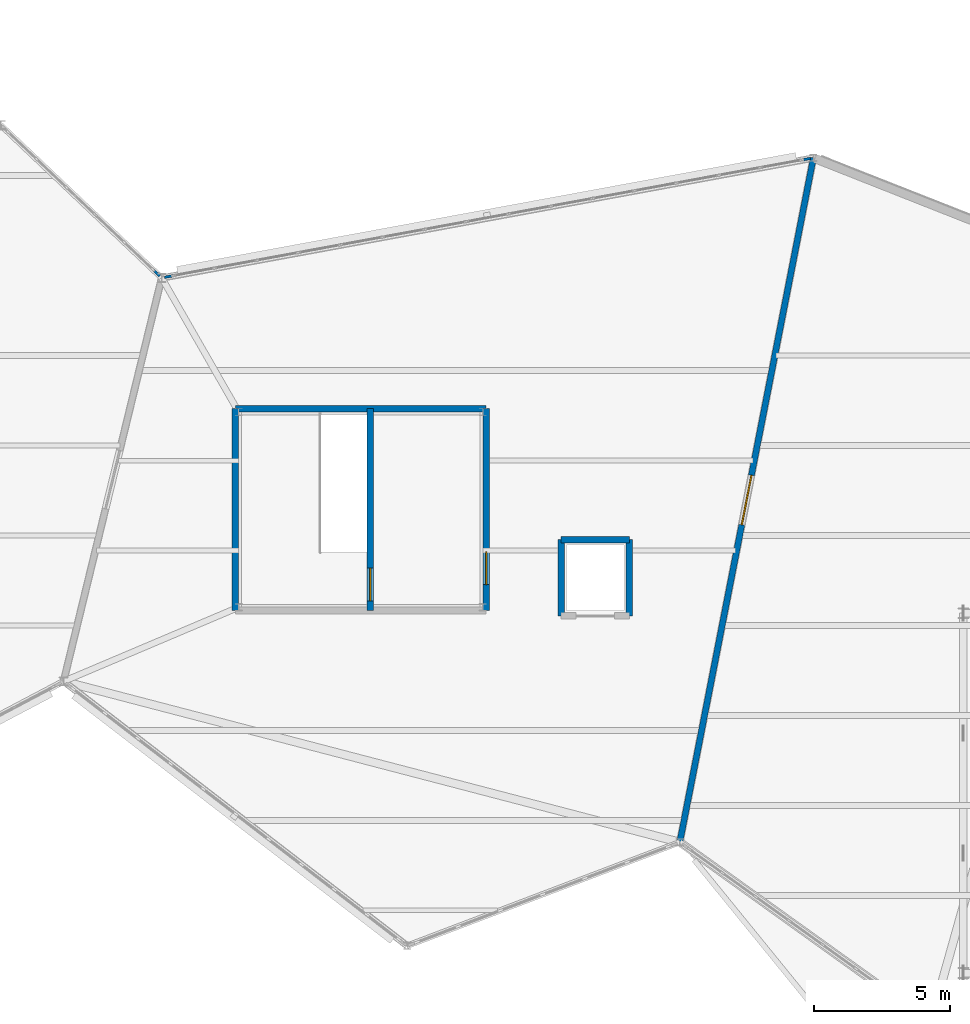
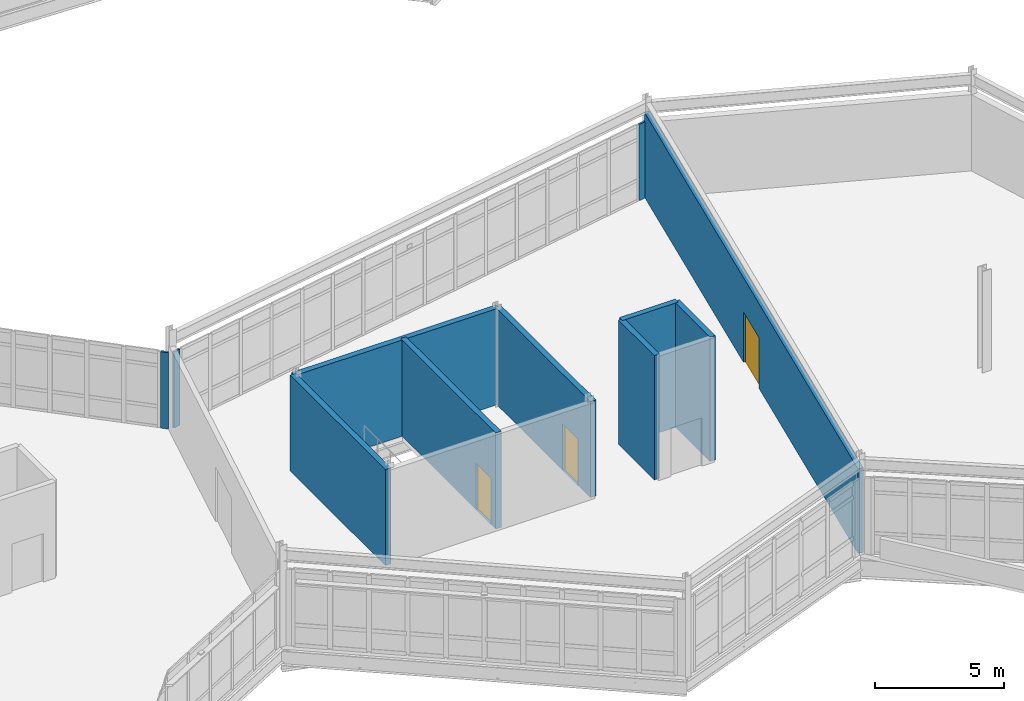
# One storey, part 61 of 76: 11 walls, 3 doors, 3 openings.
"""IFC4 building model written with IfcOpenShell, lengths in metres."""

from ifc_helpers import new_model, si_unit, direction, frame, frame_2d, origin, place, context, subcontext, project, spatial, rectangle, extrude, material, layer, layer_set, type_object, element, fill, save


model = new_model("IFC4")

# Units and contexts
model_context = context("Model", 3, precision=1e-05, world=origin(), true_north=direction((0.0, 1.0)))
body_context = subcontext(model_context, "Body", "Model", "MODEL_VIEW")
ifc_project = project(units=[si_unit("LENGTHUNIT", "METRE"), si_unit("AREAUNIT", "SQUARE_METRE"), si_unit("VOLUMEUNIT", "CUBIC_METRE"), si_unit("PLANEANGLEUNIT", "RADIAN"), si_unit("MASSUNIT", "GRAM", prefix="KILO")], contexts=[model_context])

# Site, building, storey
site_placement = place(None, origin())
site = spatial("IfcSite", under=ifc_project, at=site_placement, CompositionType="ELEMENT")
building_placement = place(site_placement, origin())
building = spatial("IfcBuilding", under=site, at=building_placement, Name="Tameran Prism Museum", CompositionType="ELEMENT")
storey_placement = place(building_placement, frame((0.0, 0.0, 15.0)))
storey = spatial("IfcBuildingStorey", under=building, at=storey_placement, Name="L03", CompositionType="ELEMENT", Elevation=15.0)

# Walls
ifc_material_1 = material(Name="Precast Concrete N40 (40 MPa)", Category="concrete")
ifc_layer_1 = layer(ifc_material_1, 0.094970703125)
ifc_layer_set_1 = layer_set([ifc_layer_1])
wall_type_1 = type_object("IfcWallType", Name="EW-CLOS-095", PredefinedType="SOLIDWALL", material=ifc_layer_set_1)
wall_1_placement = place(storey_placement, frame((101.403076171875, 43.281982421875, 0.0), z_axis=(0.0, 0.0, 1.0), x_axis=(0.726243974232, -0.687437044311, 0.0)))
element("IfcWall", 1, at=wall_1_placement, inside=storey, type_object=wall_type_1, Name="Facade Corner Closure EW-0388", PredefinedType="SOLIDWALL", context=body_context, shape_type="SweptSolid", body=[
    extrude(rectangle(XDim=0.308349609375, YDim=0.094970703125, at=frame_2d((0.154296875, 0.0))), origin(), (0.0, 0.0, 1.0), 3.6201171875),
])
for number, where, z_axis, x_axis, name in (
    (2, (101.800048828125, 43.01904296875, 0.0), (0.0, 0.0, 1.0), (0.983958590936, 0.178397004803, 0.0), "Facade Corner Closure EW-0401"),
    (3, (125.193115234375, 47.324951171875, 0.0), (0.0, 0.0, 1.0), (0.983958590936, 0.178397004803, 0.0), "Facade Corner Closure EW-0402"),
):
    element("IfcWall", number, at=place(storey_placement, frame(where, z_axis=z_axis, x_axis=x_axis)), inside=storey, type_object=wall_type_1, Name=name, PredefinedType="SOLIDWALL", context=body_context, shape_type="SweptSolid", body=[
        extrude(rectangle(XDim=0.307861328125, YDim=0.094970703125, at=frame_2d((0.15380859375, 0.0))), origin(), (0.0, 0.0, 1.0), 3.6201171875),
    ])

# Wall, opening, door
ifc_material_2 = material(Name="Concrete N40 (40 MPa)", Category="concrete")
ifc_layer_2 = layer(ifc_material_2, 0.22509765625)
ifc_layer_set_2 = layer_set([ifc_layer_2])
wall_type_2 = type_object("IfcWallType", Name="IW-CMP-225", PredefinedType="SOLIDWALL", material=ifc_layer_set_2)
wall_2_placement = place(storey_placement, frame((120.699951171875, 22.300048828125, 0.0), z_axis=(0.0, 0.0, 1.0), x_axis=(0.191608827438, 0.981471373626, 0.0)))
wall_2 = element("IfcWall", 4, at=wall_2_placement, inside=storey, type_object=wall_type_2, Name="Compartment Wall IW-0144", PredefinedType="SOLIDWALL", context=body_context, shape_type="SweptSolid", body=[
    extrude(rectangle(XDim=25.57373046875, YDim=0.22509765625, at=frame_2d((12.786865234375, 0.0))), origin(), (0.0, 0.0, 1.0), 4.02001953125),
])
opening_1_placement = place(wall_2_placement, frame((11.862060546875, 0.0, 0.0)))
opening_1 = element("IfcOpeningElement", 5, at=opening_1_placement, cuts=wall_2, Name="Opening ID-0143", PredefinedType="OPENING", context=body_context, shape_type="SweptSolid", body=[
    extrude(rectangle(XDim=1.85009765625, YDim=2.39990234375, at=frame_2d((0.925048828125, 1.199951171875))), frame((0.0, 0.12255859375, 0.0), z_axis=(0.0, -1.0, 0.0), x_axis=(1.0, 0.0, 0.0)), (0.0, 0.0, 1.0), 0.2451171875),
])
ifc_material_3 = material(Name="Fire-Rated Steel Door Leaf and Frame", Category="steel")
door_type_1 = type_object("IfcDoorType", Name="DR-GAL-185", OperationType="DOUBLE_DOOR_SINGLE_SWING", PredefinedType="DOOR", material=ifc_material_3)
door_1_placement = place(opening_1_placement, origin())
door_1 = element("IfcDoor", 6, at=door_1_placement, inside=storey, type_object=door_type_1, Name="Compartment Door ID-0143", OperationType="DOUBLE_DOOR_SINGLE_SWING", OverallHeight=2.39990234375, OverallWidth=1.85009765625, PredefinedType="DOOR", context=body_context, shape_type="SweptSolid", body=[
    extrude(rectangle(XDim=1.85009765625, YDim=2.39990234375, at=frame_2d((0.925048828125, 1.199951171875))), frame((0.0, 0.02490234375, 0.0), z_axis=(0.0, -1.0, 0.0), x_axis=(1.0, 0.0, 0.0)), (0.0, 0.0, 1.0), 0.050048828125),
])
fill(opening_1, door_1)

# Walls
ifc_material_4 = material(Name="Concrete N40 (40 MPa)", Category="concrete")
ifc_layer_3 = layer(ifc_material_4, 0.25)
ifc_layer_set_3 = layer_set([ifc_layer_3])
wall_type_3 = type_object("IfcWallType", Name="IW-COR-250", PredefinedType="SHEAR", material=ifc_layer_set_3)
wall_3_placement = place(storey_placement, frame((104.39990234375, 30.800048828125, 0.0), z_axis=(0.0, 0.0, 1.0), x_axis=(0.0, 1.0, 0.0)))
element("IfcWall", 7, at=wall_3_placement, inside=storey, type_object=wall_type_3, Name="Core Shear Wall CW-4-L03-W", PredefinedType="SHEAR", context=body_context, shape_type="SweptSolid", body=[
    extrude(rectangle(XDim=7.39990234375, YDim=0.25, at=frame_2d((3.699951171875, 0.0))), origin(), (0.0, 0.0, 1.0), 4.56005859375),
])
wall_4_placement = place(storey_placement, frame((104.39990234375, 38.199951171875, 0.0), z_axis=(0.0, 0.0, 1.0), x_axis=(1.0, 0.0, 0.0)))
element("IfcWall", 8, at=wall_4_placement, inside=storey, type_object=wall_type_3, Name="Core Shear Wall CW-4-L03-N", PredefinedType="SHEAR", context=body_context, shape_type="SweptSolid", body=[
    extrude(rectangle(XDim=9.2001953125, YDim=0.25, at=frame_2d((4.60009765625, 0.0))), origin(), (0.0, 0.0, 1.0), 4.56005859375),
])

# Wall, opening, door
wall_5_placement = place(storey_placement, frame((113.60009765625, 38.199951171875, 0.0), z_axis=(0.0, 0.0, 1.0), x_axis=(0.0, -1.0, 0.0)))
wall_5 = element("IfcWall", 9, at=wall_5_placement, inside=storey, type_object=wall_type_3, Name="Core Shear Wall CW-4-L03-E", PredefinedType="SHEAR", context=body_context, shape_type="SweptSolid", body=[
    extrude(rectangle(XDim=7.39990234375, YDim=0.25, at=frame_2d((3.699951171875, 0.0))), origin(), (0.0, 0.0, 1.0), 4.56005859375),
])
opening_2_placement = place(wall_5_placement, frame((5.25, 0.0, 0.0)))
opening_2 = element("IfcOpeningElement", 10, at=opening_2_placement, cuts=wall_5, Name="Opening FD-0241", PredefinedType="OPENING", context=body_context, shape_type="SweptSolid", body=[
    extrude(rectangle(XDim=1.199951171875, YDim=2.199951171875, at=frame_2d((0.60009765625, 1.10009765625))), frame((0.0, 0.135009765625, 0.0), z_axis=(0.0, -1.0, 0.0), x_axis=(1.0, 0.0, 0.0)), (0.0, 0.0, 1.0), 0.27001953125),
])
ifc_material_5 = material(Name="Fire-Rated Steel Door Leaf and Frame", Category="steel")
door_type_2 = type_object("IfcDoorType", Name="DR-FD-120A", OperationType="NOTDEFINED", PredefinedType="DOOR", material=ifc_material_5)
door_2_placement = place(opening_2_placement, origin())
door_2 = element("IfcDoor", 11, at=door_2_placement, inside=storey, type_object=door_type_2, Name="Core Fire Door FD-0241", OperationType="SINGLE_SWING_LEFT", OverallHeight=2.199951171875, OverallWidth=1.199951171875, PredefinedType="DOOR", context=body_context, shape_type="SweptSolid", body=[
    extrude(rectangle(XDim=1.199951171875, YDim=2.199951171875, at=frame_2d((0.60009765625, 1.10009765625))), frame((0.0, 0.02490234375, 0.0), z_axis=(0.0, -1.0, 0.0), x_axis=(1.0, 0.0, 0.0)), (0.0, 0.0, 1.0), 0.050048828125),
])
fill(opening_2, door_2)

wall_6_placement = place(storey_placement, frame((109.35009765625, 38.199951171875, 0.0), z_axis=(0.0, 0.0, 1.0), x_axis=(0.0, -1.0, 0.0)))
wall_6 = element("IfcWall", 12, at=wall_6_placement, inside=storey, type_object=wall_type_3, Name="Core Shear Wall CW-4-L03-M", PredefinedType="SHEAR", context=body_context, shape_type="SweptSolid", body=[
    extrude(rectangle(XDim=7.39990234375, YDim=0.25, at=frame_2d((3.699951171875, 0.0))), origin(), (0.0, 0.0, 1.0), 4.56005859375),
])
opening_3_placement = place(wall_6_placement, frame((5.85009765625, 0.0, 0.0)))
opening_3 = element("IfcOpeningElement", 13, at=opening_3_placement, cuts=wall_6, Name="Opening FD-0242", PredefinedType="OPENING", context=body_context, shape_type="SweptSolid", body=[
    extrude(rectangle(XDim=1.199951171875, YDim=2.199951171875, at=frame_2d((0.60009765625, 1.10009765625))), frame((0.0, 0.135009765625, 0.0), z_axis=(0.0, -1.0, 0.0), x_axis=(1.0, 0.0, 0.0)), (0.0, 0.0, 1.0), 0.27001953125),
])
door_3_placement = place(opening_3_placement, origin())
door_3 = element("IfcDoor", 14, at=door_3_placement, inside=storey, type_object=door_type_2, Name="Core Fire Door FD-0242", OperationType="SINGLE_SWING_RIGHT", OverallHeight=2.199951171875, OverallWidth=1.199951171875, PredefinedType="DOOR", context=body_context, shape_type="SweptSolid", body=[
    extrude(rectangle(XDim=1.199951171875, YDim=2.199951171875, at=frame_2d((0.60009765625, 1.10009765625))), frame((0.0, 0.02490234375, 0.0), z_axis=(0.0, -1.0, 0.0), x_axis=(1.0, 0.0, 0.0)), (0.0, 0.0, 1.0), 0.050048828125),
])
fill(opening_3, door_3)

# Walls
ifc_material_6 = material(Name="Concrete N40 (40 MPa)", Category="concrete")
ifc_layer_4 = layer(ifc_material_6, 0.239990234375)
ifc_layer_set_4 = layer_set([ifc_layer_4])
wall_type_4 = type_object("IfcWallType", Name="IW-LFT-240", PredefinedType="SHEAR", material=ifc_layer_set_4)
wall_7_placement = place(storey_placement, frame((116.35009765625, 33.39990234375, 0.0), z_axis=(0.0, 0.0, 1.0), x_axis=(1.0, 0.0, 0.0)))
element("IfcWall", 15, at=wall_7_placement, inside=storey, type_object=wall_type_4, Name="Lift Shaft Wall LW-PL03-L03N", PredefinedType="SHEAR", context=body_context, shape_type="SweptSolid", body=[
    extrude(rectangle(XDim=2.5, YDim=0.239990234375, at=frame_2d((1.25, 0.0))), origin(), (0.0, 0.0, 1.0), 5.89990234375),
])
for number, where, z_axis, x_axis, name in (
    (16, (118.85009765625, 33.39990234375, 0.0), (0.0, 0.0, 1.0), (0.0, -1.0, 0.0), "Lift Shaft Wall LW-PL03-L03E"),
    (17, (116.35009765625, 30.60009765625, 0.0), (0.0, 0.0, 1.0), (0.0, 1.0, 0.0), "Lift Shaft Wall LW-PL03-L03W"),
):
    element("IfcWall", number, at=place(storey_placement, frame(where, z_axis=z_axis, x_axis=x_axis)), inside=storey, type_object=wall_type_4, Name=name, PredefinedType="SHEAR", context=body_context, shape_type="SweptSolid", body=[
        extrude(rectangle(XDim=2.7998046875, YDim=0.239990234375, at=frame_2d((1.39990234375, 0.0))), origin(), (0.0, 0.0, 1.0), 5.89990234375),
    ])

save(model, "model.ifc")
